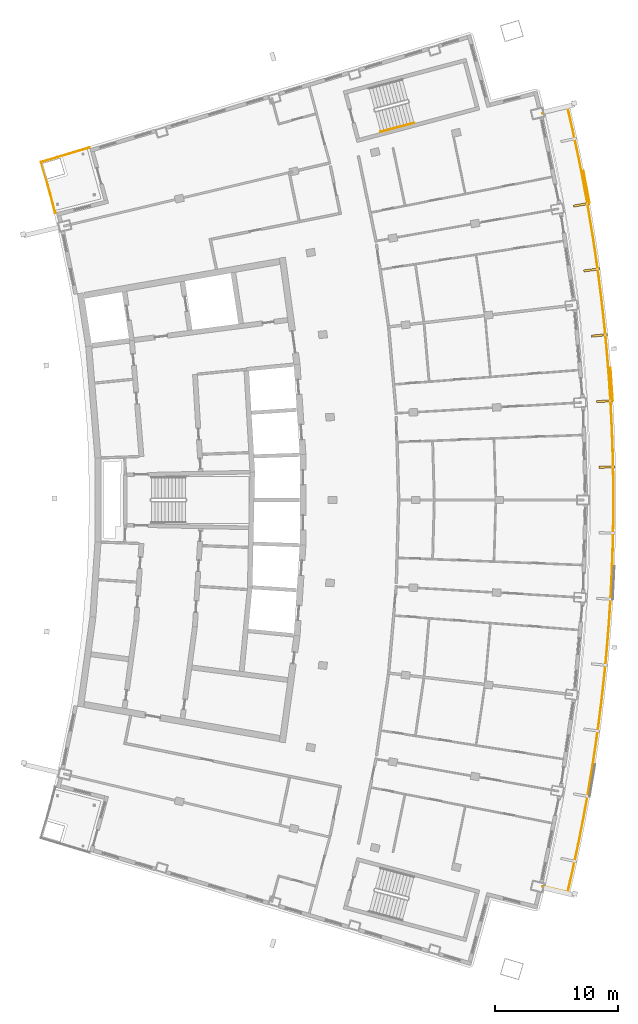
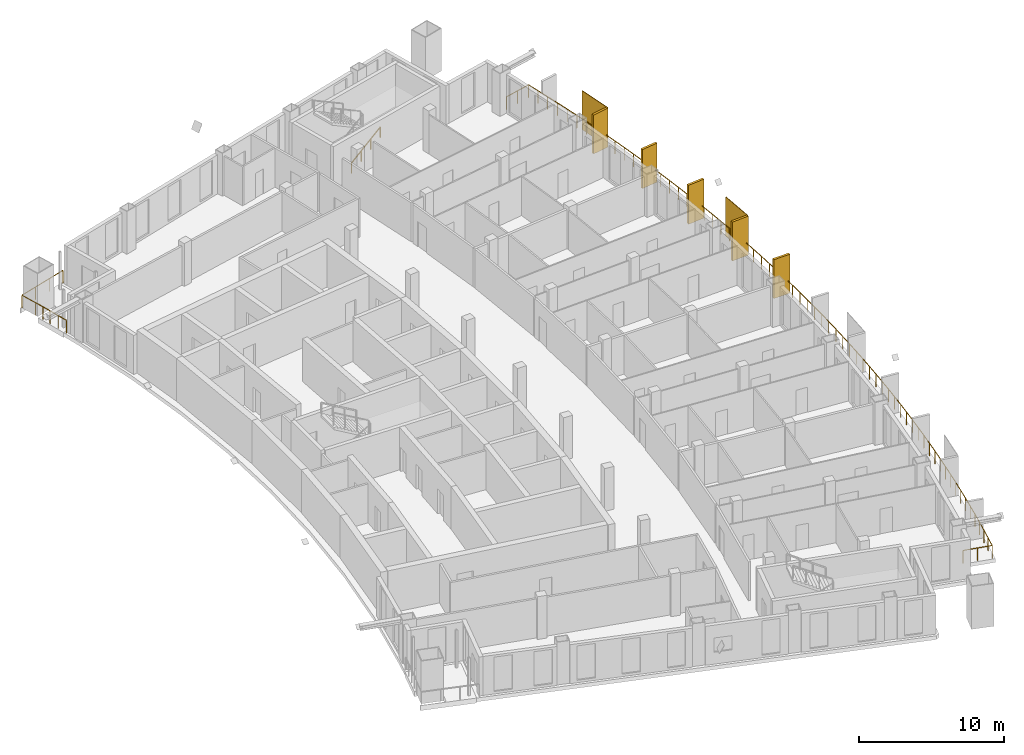
# One storey, part 16 of 17: 7 shading devices, 3 railings.
"""IFC4 building model written with IfcOpenShell, lengths in metres."""

from ifc_helpers import new_model, si_unit, direction, frame, origin, origin_2d, place, context, subcontext, project, spatial, rectangle, extrude, material, layer, layer_set, type_object, element, save


model = new_model("IFC4")

# Units and contexts
model_context = context("Model", 3, precision=1e-05, world=origin(), true_north=direction((0.0, 1.0)))
body_context = subcontext(model_context, "Body", "Model", "MODEL_VIEW")
ifc_project = project(units=[si_unit("LENGTHUNIT", "METRE"), si_unit("AREAUNIT", "SQUARE_METRE"), si_unit("VOLUMEUNIT", "CUBIC_METRE"), si_unit("PLANEANGLEUNIT", "RADIAN"), si_unit("MASSUNIT", "GRAM", prefix="KILO")], contexts=[model_context])

# Site, building, storey
site_placement = place(None, origin())
site = spatial("IfcSite", under=ifc_project, at=site_placement, CompositionType="ELEMENT")
building_placement = place(site_placement, origin())
building = spatial("IfcBuilding", under=site, at=building_placement, Name="Alderwake Tower", CompositionType="ELEMENT")
storey_placement = place(building_placement, frame((0.0, 0.0, 274.39990234375)))
storey = spatial("IfcBuildingStorey", under=building, at=storey_placement, Name="L68", CompositionType="ELEMENT", Elevation=274.39990234375)

# Railings
ifc_material_1 = material(Name="Stainless steel 316 rail and posts", Category="steel")
railing_type_1 = type_object("IfcRailingType", Name="Balcony guard 1100", PredefinedType="GUARDRAIL", material=ifc_material_1)
railing_1_placement = place(storey_placement, frame((52.9208984375, 29.510986328125, 0.0)))
element("IfcRailing", 1, at=railing_1_placement, inside=storey, type_object=railing_type_1, Name="Guard BF03", PredefinedType="GUARDRAIL", context=body_context, shape_type="SweptSolid", body=[
    extrude(rectangle(XDim=0.048095703125, YDim=0.048095703125, at=origin_2d()), frame((0.0, 0.0, 1.076171875), z_axis=(0.973069996158, -0.230509831846, 0.0), x_axis=(0.230509831846, 0.973069996158, 0.0)), (0.0, 0.0, 1.0), 2.100341796875),
    extrude(rectangle(XDim=0.048095703125, YDim=0.048095703125, at=origin_2d()), frame((2.043701171875, -0.484130859375, 1.076171875), z_axis=(0.223728003456, 0.974651620052, 0.0), x_axis=(-0.974651620052, 0.223728003456, 0.0)), (0.0, 0.0, 1.0), 1.9228515625),
    extrude(rectangle(XDim=0.048095703125, YDim=0.048095703125, at=origin_2d()), frame((2.473876953125, 1.389892578125, 1.076171875), z_axis=(0.209792875229, 0.977745851182, 0.0), x_axis=(-0.977745851182, 0.209792875229, 0.0)), (0.0, 0.0, 1.0), 2.0224609375),
    extrude(rectangle(XDim=0.048095703125, YDim=0.048095703125, at=origin_2d()), frame((2.898193359375, 3.367431640625, 1.076171875), z_axis=(0.195651889061, 0.980673410625, 0.0), x_axis=(-0.980673410625, 0.195651889061, 0.0)), (0.0, 0.0, 1.0), 2.022705078125),
    extrude(rectangle(XDim=0.048095703125, YDim=0.048095703125, at=origin_2d()), frame((3.2939453125, 5.35107421875, 1.076171875), z_axis=(0.181285306719, 0.983430545371, 0.0), x_axis=(-0.983430545371, 0.181285306719, 0.0)), (0.0, 0.0, 1.0), 2.022705078125),
    extrude(rectangle(XDim=0.048095703125, YDim=0.048095703125, at=origin_2d()), frame((3.66064453125, 7.34033203125, 1.076171875), z_axis=(0.166943156218, 0.985966522044, 0.0), x_axis=(-0.985966522044, 0.166943156218, 0.0)), (0.0, 0.0, 1.0), 2.0224609375),
    extrude(rectangle(XDim=0.048095703125, YDim=0.048095703125, at=origin_2d()), frame((3.998291015625, 9.33447265625, 1.076171875), z_axis=(0.152565081877, 0.988293425958, 0.0), x_axis=(-0.988293425958, 0.152565081877, 0.0)), (0.0, 0.0, 1.0), 2.022705078125),
    extrude(rectangle(XDim=0.048095703125, YDim=0.048095703125, at=origin_2d()), frame((4.306884765625, 11.33349609375, 1.076171875), z_axis=(0.138074887842, 0.990421791636, 0.0), x_axis=(-0.990421791636, 0.138074887842, 0.0)), (0.0, 0.0, 1.0), 2.022705078125),
    extrude(rectangle(XDim=0.048095703125, YDim=0.048095703125, at=origin_2d()), frame((4.586181640625, 13.3369140625, 1.076171875), z_axis=(0.123603892024, 0.992331637043, 0.0), x_axis=(-0.992331637043, 0.123603892024, 0.0)), (0.0, 0.0, 1.0), 2.022705078125),
    extrude(rectangle(XDim=0.048095703125, YDim=0.048095703125, at=origin_2d()), frame((4.836181640625, 15.343994140625, 1.076171875), z_axis=(0.109119836799, 0.99402860181, 0.0), x_axis=(-0.99402860181, 0.109119836799, 0.0)), (0.0, 0.0, 1.0), 2.0224609375),
    extrude(rectangle(XDim=0.048095703125, YDim=0.048095703125, at=origin_2d()), frame((5.056884765625, 17.3544921875, 1.076171875), z_axis=(0.094746438959, 0.995501437621, 0.0), x_axis=(-0.995501437621, 0.094746438959, 0.0)), (0.0, 0.0, 1.0), 2.022705078125),
    extrude(rectangle(XDim=0.048095703125, YDim=0.048095703125, at=origin_2d()), frame((5.24853515625, 19.3681640625, 1.076171875), z_axis=(0.080018646594, 0.996793366851, 0.0), x_axis=(-0.996793366851, 0.080018646594, 0.0)), (0.0, 0.0, 1.0), 2.02294921875),
    extrude(rectangle(XDim=0.048095703125, YDim=0.048095703125, at=origin_2d()), frame((5.410400390625, 21.384521484375, 1.076171875), z_axis=(0.065661789431, 0.997841936084, 0.0), x_axis=(-0.997841936084, 0.065661789431, 0.0)), (0.0, 0.0, 1.0), 2.022705078125),
    extrude(rectangle(XDim=0.048095703125, YDim=0.048095703125, at=origin_2d()), frame((5.543212890625, 23.40283203125, 1.076171875), z_axis=(0.051057323107, 0.998695724311, 0.0), x_axis=(-0.998695724311, 0.051057323107, 0.0)), (0.0, 0.0, 1.0), 2.022705078125),
    extrude(rectangle(XDim=0.048095703125, YDim=0.048095703125, at=origin_2d()), frame((5.646484375, 25.4228515625, 1.076171875), z_axis=(0.036453590384, 0.999335346992, 0.0), x_axis=(-0.999335346992, 0.036453590384, 0.0)), (0.0, 0.0, 1.0), 2.022705078125),
    extrude(rectangle(XDim=0.048095703125, YDim=0.048095703125, at=origin_2d()), frame((5.72021484375, 27.444091796875, 1.076171875), z_axis=(0.0218467706, 0.999761330826, 0.0), x_axis=(-0.999761330826, 0.0218467706, 0.0)), (0.0, 0.0, 1.0), 2.022705078125),
    extrude(rectangle(XDim=0.048095703125, YDim=0.048095703125, at=origin_2d()), frame((5.764404296875, 29.46630859375, 1.076171875), z_axis=(0.007241813719, 0.999973777723, 0.0), x_axis=(-0.999973777723, 0.007241813719, 0.0)), (0.0, 0.0, 1.0), 2.022705078125),
    extrude(rectangle(XDim=0.048095703125, YDim=0.048095703125, at=origin_2d()), frame((5.779052734375, 31.489013671875, 1.076171875), z_axis=(-0.007241813719, 0.999973777723, 0.0), x_axis=(-0.999973777723, -0.007241813719, 0.0)), (0.0, 0.0, 1.0), 2.022705078125),
    extrude(rectangle(XDim=0.048095703125, YDim=0.048095703125, at=origin_2d()), frame((5.764404296875, 33.51171875, 1.076171875), z_axis=(-0.0218467706, 0.999761330826, 0.0), x_axis=(-0.999761330826, -0.0218467706, 0.0)), (0.0, 0.0, 1.0), 2.022705078125),
    extrude(rectangle(XDim=0.048095703125, YDim=0.048095703125, at=origin_2d()), frame((5.72021484375, 35.533935546875, 1.076171875), z_axis=(-0.036453590384, 0.999335346992, 0.0), x_axis=(-0.999335346992, -0.036453590384, 0.0)), (0.0, 0.0, 1.0), 2.022705078125),
    extrude(rectangle(XDim=0.048095703125, YDim=0.048095703125, at=origin_2d()), frame((5.646484375, 37.55517578125, 1.076171875), z_axis=(-0.051057323107, 0.998695724311, 0.0), x_axis=(-0.998695724311, -0.051057323107, 0.0)), (0.0, 0.0, 1.0), 2.022705078125),
    extrude(rectangle(XDim=0.048095703125, YDim=0.048095703125, at=origin_2d()), frame((5.543212890625, 39.5751953125, 1.076171875), z_axis=(-0.065661789431, 0.997841936084, 0.0), x_axis=(-0.997841936084, -0.065661789431, 0.0)), (0.0, 0.0, 1.0), 2.022705078125),
    extrude(rectangle(XDim=0.048095703125, YDim=0.048095703125, at=origin_2d()), frame((5.410400390625, 41.593505859375, 1.076171875), z_axis=(-0.080018646594, 0.996793366851, 0.0), x_axis=(-0.996793366851, -0.080018646594, 0.0)), (0.0, 0.0, 1.0), 2.02294921875),
    extrude(rectangle(XDim=0.048095703125, YDim=0.048095703125, at=origin_2d()), frame((5.24853515625, 43.60986328125, 1.076171875), z_axis=(-0.094746438959, 0.995501437621, 0.0), x_axis=(-0.995501437621, -0.094746438959, 0.0)), (0.0, 0.0, 1.0), 2.022705078125),
    extrude(rectangle(XDim=0.048095703125, YDim=0.048095703125, at=origin_2d()), frame((5.056884765625, 45.62353515625, 1.076171875), z_axis=(-0.109119836799, 0.99402860181, 0.0), x_axis=(-0.99402860181, -0.109119836799, 0.0)), (0.0, 0.0, 1.0), 2.0224609375),
    extrude(rectangle(XDim=0.048095703125, YDim=0.048095703125, at=origin_2d()), frame((4.836181640625, 47.634033203125, 1.076171875), z_axis=(-0.123603892024, 0.992331637043, 0.0), x_axis=(-0.992331637043, -0.123603892024, 0.0)), (0.0, 0.0, 1.0), 2.022705078125),
    extrude(rectangle(XDim=0.048095703125, YDim=0.048095703125, at=origin_2d()), frame((4.586181640625, 49.64111328125, 1.076171875), z_axis=(-0.138074887842, 0.990421791636, 0.0), x_axis=(-0.990421791636, -0.138074887842, 0.0)), (0.0, 0.0, 1.0), 2.022705078125),
    extrude(rectangle(XDim=0.048095703125, YDim=0.048095703125, at=origin_2d()), frame((4.306884765625, 51.64453125, 1.076171875), z_axis=(-0.152565081877, 0.988293425958, 0.0), x_axis=(-0.988293425958, -0.152565081877, 0.0)), (0.0, 0.0, 1.0), 2.022705078125),
    extrude(rectangle(XDim=0.048095703125, YDim=0.048095703125, at=origin_2d()), frame((3.998291015625, 53.6435546875, 1.076171875), z_axis=(-0.166943156218, 0.985966522044, 0.0), x_axis=(-0.985966522044, -0.166943156218, 0.0)), (0.0, 0.0, 1.0), 2.0224609375),
    extrude(rectangle(XDim=0.048095703125, YDim=0.048095703125, at=origin_2d()), frame((3.66064453125, 55.6376953125, 1.076171875), z_axis=(-0.181285306719, 0.983430545371, 0.0), x_axis=(-0.983430545371, -0.181285306719, 0.0)), (0.0, 0.0, 1.0), 2.022705078125),
    extrude(rectangle(XDim=0.048095703125, YDim=0.048095703125, at=origin_2d()), frame((3.2939453125, 57.626953125, 1.076171875), z_axis=(-0.195651889061, 0.980673410625, 0.0), x_axis=(-0.980673410625, -0.195651889061, 0.0)), (0.0, 0.0, 1.0), 2.022705078125),
    extrude(rectangle(XDim=0.048095703125, YDim=0.048095703125, at=origin_2d()), frame((2.898193359375, 59.610595703125, 1.076171875), z_axis=(-0.209792875229, 0.977745851182, 0.0), x_axis=(-0.977745851182, -0.209792875229, 0.0)), (0.0, 0.0, 1.0), 2.0224609375),
    extrude(rectangle(XDim=0.048095703125, YDim=0.048095703125, at=origin_2d()), frame((2.473876953125, 61.588134765625, 1.076171875), z_axis=(-0.223728003456, 0.974651620052, 0.0), x_axis=(-0.974651620052, -0.223728003456, 0.0)), (0.0, 0.0, 1.0), 1.9228515625),
    extrude(rectangle(XDim=0.048095703125, YDim=0.048095703125, at=origin_2d()), frame((2.043701171875, 63.462158203125, 1.076171875), z_axis=(-0.973069996158, -0.230509831846, 0.0), x_axis=(0.230509831846, -0.973069996158, 0.0)), (0.0, 0.0, 1.0), 2.100341796875),
    extrude(rectangle(XDim=0.0419921875, YDim=0.0419921875, at=origin_2d()), frame((0.0, 0.0, 0.0), z_axis=(0.0, 0.0, 1.0), x_axis=(0.973069996158, -0.230509831846, 0.0)), (0.0, 0.0, 1.0), 1.052001953125),
    extrude(rectangle(XDim=0.0419921875, YDim=0.0419921875, at=origin_2d()), frame((1.02197265625, -0.2421875, 0.0), z_axis=(0.0, 0.0, 1.0), x_axis=(0.973069996158, -0.230509831846, 0.0)), (0.0, 0.0, 1.0), 1.052001953125),
    extrude(rectangle(XDim=0.0419921875, YDim=0.0419921875, at=origin_2d()), frame((2.043701171875, -0.484130859375, 0.0), z_axis=(0.0, 0.0, 1.0), x_axis=(0.223728003456, 0.974651620052, 0.0)), (0.0, 0.0, 1.0), 1.052001953125),
    extrude(rectangle(XDim=0.0419921875, YDim=0.0419921875, at=origin_2d()), frame((2.2587890625, 0.452880859375, 0.0), z_axis=(0.0, 0.0, 1.0), x_axis=(0.223728003456, 0.974651620052, 0.0)), (0.0, 0.0, 1.0), 1.052001953125),
    extrude(rectangle(XDim=0.0419921875, YDim=0.0419921875, at=origin_2d()), frame((2.473876953125, 1.389892578125, 0.0), z_axis=(0.0, 0.0, 1.0), x_axis=(0.209792875229, 0.977745851182, 0.0)), (0.0, 0.0, 1.0), 1.052001953125),
    extrude(rectangle(XDim=0.0419921875, YDim=0.0419921875, at=origin_2d()), frame((2.68603515625, 2.378662109375, 0.0), z_axis=(0.0, 0.0, 1.0), x_axis=(0.209792875229, 0.977745851182, 0.0)), (0.0, 0.0, 1.0), 1.052001953125),
    extrude(rectangle(XDim=0.0419921875, YDim=0.0419921875, at=origin_2d()), frame((2.898193359375, 3.367431640625, 0.0), z_axis=(0.0, 0.0, 1.0), x_axis=(0.195651889061, 0.980673410625, 0.0)), (0.0, 0.0, 1.0), 1.052001953125),
    extrude(rectangle(XDim=0.0419921875, YDim=0.0419921875, at=origin_2d()), frame((3.09619140625, 4.359375, 0.0), z_axis=(0.0, 0.0, 1.0), x_axis=(0.195651889061, 0.980673410625, 0.0)), (0.0, 0.0, 1.0), 1.052001953125),
    extrude(rectangle(XDim=0.0419921875, YDim=0.0419921875, at=origin_2d()), frame((3.2939453125, 5.35107421875, 0.0), z_axis=(0.0, 0.0, 1.0), x_axis=(0.181285306719, 0.983430545371, 0.0)), (0.0, 0.0, 1.0), 1.052001953125),
    extrude(rectangle(XDim=0.0419921875, YDim=0.0419921875, at=origin_2d()), frame((3.477294921875, 6.345703125, 0.0), z_axis=(0.0, 0.0, 1.0), x_axis=(0.181285306719, 0.983430545371, 0.0)), (0.0, 0.0, 1.0), 1.052001953125),
    extrude(rectangle(XDim=0.0419921875, YDim=0.0419921875, at=origin_2d()), frame((3.66064453125, 7.34033203125, 0.0), z_axis=(0.0, 0.0, 1.0), x_axis=(0.166943156218, 0.985966522044, 0.0)), (0.0, 0.0, 1.0), 1.052001953125),
    extrude(rectangle(XDim=0.0419921875, YDim=0.0419921875, at=origin_2d()), frame((3.82958984375, 8.33740234375, 0.0), z_axis=(0.0, 0.0, 1.0), x_axis=(0.166943156218, 0.985966522044, 0.0)), (0.0, 0.0, 1.0), 1.052001953125),
    extrude(rectangle(XDim=0.0419921875, YDim=0.0419921875, at=origin_2d()), frame((3.998291015625, 9.33447265625, 0.0), z_axis=(0.0, 0.0, 1.0), x_axis=(0.152565081877, 0.988293425958, 0.0)), (0.0, 0.0, 1.0), 1.052001953125),
    extrude(rectangle(XDim=0.0419921875, YDim=0.0419921875, at=origin_2d()), frame((4.152587890625, 10.333984375, 0.0), z_axis=(0.0, 0.0, 1.0), x_axis=(0.152565081877, 0.988293425958, 0.0)), (0.0, 0.0, 1.0), 1.052001953125),
    extrude(rectangle(XDim=0.0419921875, YDim=0.0419921875, at=origin_2d()), frame((4.306884765625, 11.33349609375, 0.0), z_axis=(0.0, 0.0, 1.0), x_axis=(0.138074887842, 0.990421791636, 0.0)), (0.0, 0.0, 1.0), 1.052001953125),
    extrude(rectangle(XDim=0.0419921875, YDim=0.0419921875, at=origin_2d()), frame((4.446533203125, 12.335205078125, 0.0), z_axis=(0.0, 0.0, 1.0), x_axis=(0.138074887842, 0.990421791636, 0.0)), (0.0, 0.0, 1.0), 1.052001953125),
    extrude(rectangle(XDim=0.0419921875, YDim=0.0419921875, at=origin_2d()), frame((4.586181640625, 13.3369140625, 0.0), z_axis=(0.0, 0.0, 1.0), x_axis=(0.123603892024, 0.992331637043, 0.0)), (0.0, 0.0, 1.0), 1.052001953125),
    extrude(rectangle(XDim=0.0419921875, YDim=0.0419921875, at=origin_2d()), frame((4.711181640625, 14.34033203125, 0.0), z_axis=(0.0, 0.0, 1.0), x_axis=(0.123603892024, 0.992331637043, 0.0)), (0.0, 0.0, 1.0), 1.052001953125),
    extrude(rectangle(XDim=0.0419921875, YDim=0.0419921875, at=origin_2d()), frame((4.836181640625, 15.343994140625, 0.0), z_axis=(0.0, 0.0, 1.0), x_axis=(0.109119836799, 0.99402860181, 0.0)), (0.0, 0.0, 1.0), 1.052001953125),
    extrude(rectangle(XDim=0.0419921875, YDim=0.0419921875, at=origin_2d()), frame((4.946533203125, 16.34912109375, 0.0), z_axis=(0.0, 0.0, 1.0), x_axis=(0.109119836799, 0.99402860181, 0.0)), (0.0, 0.0, 1.0), 1.052001953125),
    extrude(rectangle(XDim=0.0419921875, YDim=0.0419921875, at=origin_2d()), frame((5.056884765625, 17.3544921875, 0.0), z_axis=(0.0, 0.0, 1.0), x_axis=(0.094746438959, 0.995501437621, 0.0)), (0.0, 0.0, 1.0), 1.052001953125),
    extrude(rectangle(XDim=0.0419921875, YDim=0.0419921875, at=origin_2d()), frame((5.15283203125, 18.361328125, 0.0), z_axis=(0.0, 0.0, 1.0), x_axis=(0.094746438959, 0.995501437621, 0.0)), (0.0, 0.0, 1.0), 1.052001953125),
    extrude(rectangle(XDim=0.0419921875, YDim=0.0419921875, at=origin_2d()), frame((5.24853515625, 19.3681640625, 0.0), z_axis=(0.0, 0.0, 1.0), x_axis=(0.080018646594, 0.996793366851, 0.0)), (0.0, 0.0, 1.0), 1.052001953125),
    extrude(rectangle(XDim=0.0419921875, YDim=0.0419921875, at=origin_2d()), frame((5.32958984375, 20.37646484375, 0.0), z_axis=(0.0, 0.0, 1.0), x_axis=(0.080018646594, 0.996793366851, 0.0)), (0.0, 0.0, 1.0), 1.052001953125),
    extrude(rectangle(XDim=0.0419921875, YDim=0.0419921875, at=origin_2d()), frame((5.410400390625, 21.384521484375, 0.0), z_axis=(0.0, 0.0, 1.0), x_axis=(0.065661789431, 0.997841936084, 0.0)), (0.0, 0.0, 1.0), 1.052001953125),
    extrude(rectangle(XDim=0.0419921875, YDim=0.0419921875, at=origin_2d()), frame((5.476806640625, 22.3935546875, 0.0), z_axis=(0.0, 0.0, 1.0), x_axis=(0.065661789431, 0.997841936084, 0.0)), (0.0, 0.0, 1.0), 1.052001953125),
    extrude(rectangle(XDim=0.0419921875, YDim=0.0419921875, at=origin_2d()), frame((5.543212890625, 23.40283203125, 0.0), z_axis=(0.0, 0.0, 1.0), x_axis=(0.051057323107, 0.998695724311, 0.0)), (0.0, 0.0, 1.0), 1.052001953125),
    extrude(rectangle(XDim=0.0419921875, YDim=0.0419921875, at=origin_2d()), frame((5.5947265625, 24.412841796875, 0.0), z_axis=(0.0, 0.0, 1.0), x_axis=(0.051057323107, 0.998695724311, 0.0)), (0.0, 0.0, 1.0), 1.052001953125),
    extrude(rectangle(XDim=0.0419921875, YDim=0.0419921875, at=origin_2d()), frame((5.646484375, 25.4228515625, 0.0), z_axis=(0.0, 0.0, 1.0), x_axis=(0.036453590384, 0.999335346992, 0.0)), (0.0, 0.0, 1.0), 1.052001953125),
    extrude(rectangle(XDim=0.0419921875, YDim=0.0419921875, at=origin_2d()), frame((5.683349609375, 26.43359375, 0.0), z_axis=(0.0, 0.0, 1.0), x_axis=(0.036453590384, 0.999335346992, 0.0)), (0.0, 0.0, 1.0), 1.052001953125),
    extrude(rectangle(XDim=0.0419921875, YDim=0.0419921875, at=origin_2d()), frame((5.72021484375, 27.444091796875, 0.0), z_axis=(0.0, 0.0, 1.0), x_axis=(0.0218467706, 0.999761330826, 0.0)), (0.0, 0.0, 1.0), 1.052001953125),
    extrude(rectangle(XDim=0.0419921875, YDim=0.0419921875, at=origin_2d()), frame((5.7421875, 28.455078125, 0.0), z_axis=(0.0, 0.0, 1.0), x_axis=(0.0218467706, 0.999761330826, 0.0)), (0.0, 0.0, 1.0), 1.052001953125),
    extrude(rectangle(XDim=0.0419921875, YDim=0.0419921875, at=origin_2d()), frame((5.764404296875, 29.46630859375, 0.0), z_axis=(0.0, 0.0, 1.0), x_axis=(0.007241813719, 0.999973777723, 0.0)), (0.0, 0.0, 1.0), 1.052001953125),
    extrude(rectangle(XDim=0.0419921875, YDim=0.0419921875, at=origin_2d()), frame((5.771728515625, 30.4775390625, 0.0), z_axis=(0.0, 0.0, 1.0), x_axis=(0.007241813719, 0.999973777723, 0.0)), (0.0, 0.0, 1.0), 1.052001953125),
    extrude(rectangle(XDim=0.0419921875, YDim=0.0419921875, at=origin_2d()), frame((5.779052734375, 31.489013671875, 0.0), z_axis=(0.0, 0.0, 1.0), x_axis=(-0.007241813719, 0.999973777723, 0.0)), (0.0, 0.0, 1.0), 1.052001953125),
    extrude(rectangle(XDim=0.0419921875, YDim=0.0419921875, at=origin_2d()), frame((5.771728515625, 32.50048828125, 0.0), z_axis=(0.0, 0.0, 1.0), x_axis=(-0.007241813719, 0.999973777723, 0.0)), (0.0, 0.0, 1.0), 1.052001953125),
    extrude(rectangle(XDim=0.0419921875, YDim=0.0419921875, at=origin_2d()), frame((5.764404296875, 33.51171875, 0.0), z_axis=(0.0, 0.0, 1.0), x_axis=(-0.0218467706, 0.999761330826, 0.0)), (0.0, 0.0, 1.0), 1.052001953125),
    extrude(rectangle(XDim=0.0419921875, YDim=0.0419921875, at=origin_2d()), frame((5.7421875, 34.52294921875, 0.0), z_axis=(0.0, 0.0, 1.0), x_axis=(-0.0218467706, 0.999761330826, 0.0)), (0.0, 0.0, 1.0), 1.052001953125),
    extrude(rectangle(XDim=0.0419921875, YDim=0.0419921875, at=origin_2d()), frame((5.72021484375, 35.533935546875, 0.0), z_axis=(0.0, 0.0, 1.0), x_axis=(-0.036453590384, 0.999335346992, 0.0)), (0.0, 0.0, 1.0), 1.052001953125),
    extrude(rectangle(XDim=0.0419921875, YDim=0.0419921875, at=origin_2d()), frame((5.683349609375, 36.54443359375, 0.0), z_axis=(0.0, 0.0, 1.0), x_axis=(-0.036453590384, 0.999335346992, 0.0)), (0.0, 0.0, 1.0), 1.052001953125),
    extrude(rectangle(XDim=0.0419921875, YDim=0.0419921875, at=origin_2d()), frame((5.646484375, 37.55517578125, 0.0), z_axis=(0.0, 0.0, 1.0), x_axis=(-0.051057323107, 0.998695724311, 0.0)), (0.0, 0.0, 1.0), 1.052001953125),
    extrude(rectangle(XDim=0.0419921875, YDim=0.0419921875, at=origin_2d()), frame((5.5947265625, 38.565185546875, 0.0), z_axis=(0.0, 0.0, 1.0), x_axis=(-0.051057323107, 0.998695724311, 0.0)), (0.0, 0.0, 1.0), 1.052001953125),
    extrude(rectangle(XDim=0.0419921875, YDim=0.0419921875, at=origin_2d()), frame((5.543212890625, 39.5751953125, 0.0), z_axis=(0.0, 0.0, 1.0), x_axis=(-0.065661789431, 0.997841936084, 0.0)), (0.0, 0.0, 1.0), 1.052001953125),
    extrude(rectangle(XDim=0.0419921875, YDim=0.0419921875, at=origin_2d()), frame((5.476806640625, 40.58447265625, 0.0), z_axis=(0.0, 0.0, 1.0), x_axis=(-0.065661789431, 0.997841936084, 0.0)), (0.0, 0.0, 1.0), 1.052001953125),
    extrude(rectangle(XDim=0.0419921875, YDim=0.0419921875, at=origin_2d()), frame((5.410400390625, 41.593505859375, 0.0), z_axis=(0.0, 0.0, 1.0), x_axis=(-0.080018646594, 0.996793366851, 0.0)), (0.0, 0.0, 1.0), 1.052001953125),
    extrude(rectangle(XDim=0.0419921875, YDim=0.0419921875, at=origin_2d()), frame((5.32958984375, 42.6015625, 0.0), z_axis=(0.0, 0.0, 1.0), x_axis=(-0.080018646594, 0.996793366851, 0.0)), (0.0, 0.0, 1.0), 1.052001953125),
    extrude(rectangle(XDim=0.0419921875, YDim=0.0419921875, at=origin_2d()), frame((5.24853515625, 43.60986328125, 0.0), z_axis=(0.0, 0.0, 1.0), x_axis=(-0.094746438959, 0.995501437621, 0.0)), (0.0, 0.0, 1.0), 1.052001953125),
    extrude(rectangle(XDim=0.0419921875, YDim=0.0419921875, at=origin_2d()), frame((5.15283203125, 44.61669921875, 0.0), z_axis=(0.0, 0.0, 1.0), x_axis=(-0.094746438959, 0.995501437621, 0.0)), (0.0, 0.0, 1.0), 1.052001953125),
    extrude(rectangle(XDim=0.0419921875, YDim=0.0419921875, at=origin_2d()), frame((5.056884765625, 45.62353515625, 0.0), z_axis=(0.0, 0.0, 1.0), x_axis=(-0.109119836799, 0.99402860181, 0.0)), (0.0, 0.0, 1.0), 1.052001953125),
    extrude(rectangle(XDim=0.0419921875, YDim=0.0419921875, at=origin_2d()), frame((4.946533203125, 46.62890625, 0.0), z_axis=(0.0, 0.0, 1.0), x_axis=(-0.109119836799, 0.99402860181, 0.0)), (0.0, 0.0, 1.0), 1.052001953125),
    extrude(rectangle(XDim=0.0419921875, YDim=0.0419921875, at=origin_2d()), frame((4.836181640625, 47.634033203125, 0.0), z_axis=(0.0, 0.0, 1.0), x_axis=(-0.123603892024, 0.992331637043, 0.0)), (0.0, 0.0, 1.0), 1.052001953125),
    extrude(rectangle(XDim=0.0419921875, YDim=0.0419921875, at=origin_2d()), frame((4.711181640625, 48.6376953125, 0.0), z_axis=(0.0, 0.0, 1.0), x_axis=(-0.123603892024, 0.992331637043, 0.0)), (0.0, 0.0, 1.0), 1.052001953125),
    extrude(rectangle(XDim=0.0419921875, YDim=0.0419921875, at=origin_2d()), frame((4.586181640625, 49.64111328125, 0.0), z_axis=(0.0, 0.0, 1.0), x_axis=(-0.138074887842, 0.990421791636, 0.0)), (0.0, 0.0, 1.0), 1.052001953125),
    extrude(rectangle(XDim=0.0419921875, YDim=0.0419921875, at=origin_2d()), frame((4.446533203125, 50.642822265625, 0.0), z_axis=(0.0, 0.0, 1.0), x_axis=(-0.138074887842, 0.990421791636, 0.0)), (0.0, 0.0, 1.0), 1.052001953125),
    extrude(rectangle(XDim=0.0419921875, YDim=0.0419921875, at=origin_2d()), frame((4.306884765625, 51.64453125, 0.0), z_axis=(0.0, 0.0, 1.0), x_axis=(-0.152565081877, 0.988293425958, 0.0)), (0.0, 0.0, 1.0), 1.052001953125),
    extrude(rectangle(XDim=0.0419921875, YDim=0.0419921875, at=origin_2d()), frame((4.152587890625, 52.64404296875, 0.0), z_axis=(0.0, 0.0, 1.0), x_axis=(-0.152565081877, 0.988293425958, 0.0)), (0.0, 0.0, 1.0), 1.052001953125),
    extrude(rectangle(XDim=0.0419921875, YDim=0.0419921875, at=origin_2d()), frame((3.998291015625, 53.6435546875, 0.0), z_axis=(0.0, 0.0, 1.0), x_axis=(-0.166943156218, 0.985966522044, 0.0)), (0.0, 0.0, 1.0), 1.052001953125),
    extrude(rectangle(XDim=0.0419921875, YDim=0.0419921875, at=origin_2d()), frame((3.82958984375, 54.640625, 0.0), z_axis=(0.0, 0.0, 1.0), x_axis=(-0.166943156218, 0.985966522044, 0.0)), (0.0, 0.0, 1.0), 1.052001953125),
    extrude(rectangle(XDim=0.0419921875, YDim=0.0419921875, at=origin_2d()), frame((3.66064453125, 55.6376953125, 0.0), z_axis=(0.0, 0.0, 1.0), x_axis=(-0.181285306719, 0.983430545371, 0.0)), (0.0, 0.0, 1.0), 1.052001953125),
    extrude(rectangle(XDim=0.0419921875, YDim=0.0419921875, at=origin_2d()), frame((3.477294921875, 56.63232421875, 0.0), z_axis=(0.0, 0.0, 1.0), x_axis=(-0.181285306719, 0.983430545371, 0.0)), (0.0, 0.0, 1.0), 1.052001953125),
    extrude(rectangle(XDim=0.0419921875, YDim=0.0419921875, at=origin_2d()), frame((3.2939453125, 57.626953125, 0.0), z_axis=(0.0, 0.0, 1.0), x_axis=(-0.195651889061, 0.980673410625, 0.0)), (0.0, 0.0, 1.0), 1.052001953125),
    extrude(rectangle(XDim=0.0419921875, YDim=0.0419921875, at=origin_2d()), frame((3.09619140625, 58.61865234375, 0.0), z_axis=(0.0, 0.0, 1.0), x_axis=(-0.195651889061, 0.980673410625, 0.0)), (0.0, 0.0, 1.0), 1.052001953125),
    extrude(rectangle(XDim=0.0419921875, YDim=0.0419921875, at=origin_2d()), frame((2.898193359375, 59.610595703125, 0.0), z_axis=(0.0, 0.0, 1.0), x_axis=(-0.209792875229, 0.977745851182, 0.0)), (0.0, 0.0, 1.0), 1.052001953125),
    extrude(rectangle(XDim=0.0419921875, YDim=0.0419921875, at=origin_2d()), frame((2.68603515625, 60.599365234375, 0.0), z_axis=(0.0, 0.0, 1.0), x_axis=(-0.209792875229, 0.977745851182, 0.0)), (0.0, 0.0, 1.0), 1.052001953125),
    extrude(rectangle(XDim=0.0419921875, YDim=0.0419921875, at=origin_2d()), frame((2.473876953125, 61.588134765625, 0.0), z_axis=(0.0, 0.0, 1.0), x_axis=(-0.223728003456, 0.974651620052, 0.0)), (0.0, 0.0, 1.0), 1.052001953125),
    extrude(rectangle(XDim=0.0419921875, YDim=0.0419921875, at=origin_2d()), frame((2.2587890625, 62.525146484375, 0.0), z_axis=(0.0, 0.0, 1.0), x_axis=(-0.223728003456, 0.974651620052, 0.0)), (0.0, 0.0, 1.0), 1.052001953125),
    extrude(rectangle(XDim=0.0419921875, YDim=0.0419921875, at=origin_2d()), frame((2.043701171875, 63.462158203125, 0.0), z_axis=(0.0, 0.0, 1.0), x_axis=(-0.973069996158, -0.230509831846, 0.0)), (0.0, 0.0, 1.0), 1.052001953125),
    extrude(rectangle(XDim=0.0419921875, YDim=0.0419921875, at=origin_2d()), frame((1.02197265625, 63.22021484375, 0.0), z_axis=(0.0, 0.0, 1.0), x_axis=(-0.973069996158, -0.230509831846, 0.0)), (0.0, 0.0, 1.0), 1.052001953125),
    extrude(rectangle(XDim=0.0419921875, YDim=0.0419921875, at=origin_2d()), frame((0.0, 62.97802734375, 0.0), z_axis=(0.0, 0.0, 1.0), x_axis=(-0.973069996158, -0.230509831846, 0.0)), (0.0, 0.0, 1.0), 1.052001953125),
])
railing_2_placement = place(storey_placement, frame((13.210693359375, 84.387451171875, 0.0)))
element("IfcRailing", 2, at=railing_2_placement, inside=storey, type_object=railing_type_1, Name="Guard terrace RN", PredefinedType="GUARDRAIL", context=body_context, shape_type="SweptSolid", body=[
    extrude(rectangle(XDim=0.048095703125, YDim=0.048095703125, at=origin_2d()), frame((0.0, 0.0, 1.076171875), z_axis=(-0.251385381433, 0.967887075026, 0.0), x_axis=(-0.967887075026, -0.251385381433, 0.0)), (0.0, 0.0, 1.0), 1.6015625),
    extrude(rectangle(XDim=0.048095703125, YDim=0.048095703125, at=origin_2d()), frame((-0.402587890625, 1.550048828125, 1.076171875), z_axis=(-0.266520638672, 0.963829211615, 0.0), x_axis=(-0.963829211615, -0.266520638672, 0.0)), (0.0, 0.0, 1.0), 1.401611328125),
    extrude(rectangle(XDim=0.048095703125, YDim=0.048095703125, at=origin_2d()), frame((-0.776123046875, 2.90087890625, 1.076171875), z_axis=(-0.280093650878, 0.959972680204, 0.0), x_axis=(-0.959972680204, -0.280093650878, 0.0)), (0.0, 0.0, 1.0), 1.30126953125),
    extrude(rectangle(XDim=0.048095703125, YDim=0.048095703125, at=origin_2d()), frame((-1.140625, 4.150146484375, 1.076171875), z_axis=(0.958066871889, 0.286544706789, 0.0), x_axis=(-0.286544706789, 0.958066871889, 0.0)), (0.0, 0.0, 1.0), 4.099853515625),
    extrude(rectangle(XDim=0.0419921875, YDim=0.0419921875, at=origin_2d()), frame((0.0, 0.0, 0.0), z_axis=(0.0, 0.0, 1.0), x_axis=(-0.251385381433, 0.967887075026, 0.0)), (0.0, 0.0, 1.0), 1.052001953125),
    extrude(rectangle(XDim=0.0419921875, YDim=0.0419921875, at=origin_2d()), frame((-0.201171875, 0.77490234375, 0.0), z_axis=(0.0, 0.0, 1.0), x_axis=(-0.251385381433, 0.967887075026, 0.0)), (0.0, 0.0, 1.0), 1.052001953125),
    extrude(rectangle(XDim=0.0419921875, YDim=0.0419921875, at=origin_2d()), frame((-0.402587890625, 1.550048828125, 0.0), z_axis=(0.0, 0.0, 1.0), x_axis=(-0.266520638672, 0.963829211615, 0.0)), (0.0, 0.0, 1.0), 1.052001953125),
    extrude(rectangle(XDim=0.0419921875, YDim=0.0419921875, at=origin_2d()), frame((-0.58935546875, 2.2255859375, 0.0), z_axis=(0.0, 0.0, 1.0), x_axis=(-0.266520638672, 0.963829211615, 0.0)), (0.0, 0.0, 1.0), 1.052001953125),
    extrude(rectangle(XDim=0.0419921875, YDim=0.0419921875, at=origin_2d()), frame((-0.776123046875, 2.90087890625, 0.0), z_axis=(0.0, 0.0, 1.0), x_axis=(-0.280093650878, 0.959972680204, 0.0)), (0.0, 0.0, 1.0), 1.052001953125),
    extrude(rectangle(XDim=0.0419921875, YDim=0.0419921875, at=origin_2d()), frame((-1.140625, 4.150146484375, 0.0), z_axis=(0.0, 0.0, 1.0), x_axis=(0.958066871889, 0.286544706789, 0.0)), (0.0, 0.0, 1.0), 1.052001953125),
    extrude(rectangle(XDim=0.0419921875, YDim=0.0419921875, at=origin_2d()), frame((0.168701171875, 4.541748046875, 0.0), z_axis=(0.0, 0.0, 1.0), x_axis=(0.958066871889, 0.286544706789, 0.0)), (0.0, 0.0, 1.0), 1.052001953125),
    extrude(rectangle(XDim=0.0419921875, YDim=0.0419921875, at=origin_2d()), frame((1.47802734375, 4.933349609375, 0.0), z_axis=(0.0, 0.0, 1.0), x_axis=(0.958066871889, 0.286544706789, 0.0)), (0.0, 0.0, 1.0), 1.052001953125),
    extrude(rectangle(XDim=0.0419921875, YDim=0.0419921875, at=origin_2d()), frame((2.787353515625, 5.324951171875, 0.0), z_axis=(0.0, 0.0, 1.0), x_axis=(0.958066871889, 0.286544706789, 0.0)), (0.0, 0.0, 1.0), 1.052001953125),
])

# Shading devices
ifc_material_2 = material(Name="Bronze anodised aluminium", Category="aluminium")
ifc_layer_1 = layer(ifc_material_2, 0.179931640625)
ifc_layer_set_1 = layer_set([ifc_layer_1], Name="Facade fin 1300")
shading_device_type_1 = type_object("IfcShadingDeviceType", Name="Facade fin 1300", PredefinedType="USERDEFINED", material=ifc_layer_set_1)
for number, where, z_axis, x_axis, name in (
    (3, (58.174072265625, 63.680908203125, 0.0), (0.0, 0.0, 1.0), (0.999811838809, 0.019398117887, 0.0), "Fin"),
    (4, (57.965087890625, 69.052490234375, 0.0), (0.0, 0.0, 1.0), (0.998301080988, 0.058266214038, 0.0), "Fin"),
    (5, (57.547607421875, 74.411865234375, 0.0), (0.0, 0.0, 1.0), (0.995279882363, 0.097046152751, 0.0), "Fin"),
    (6, (56.922119140625, 79.7509765625, 0.0), (0.0, 0.0, 1.0), (0.990752577235, 0.135680988728, 0.0), "Fin"),
    (7, (56.089111328125, 85.061767578125, 0.0), (0.0, 0.0, 1.0), (0.984726421654, 0.174108800747, 0.0), "Fin"),
):
    element("IfcShadingDevice", number, at=place(storey_placement, frame(where, z_axis=z_axis, x_axis=x_axis)), inside=storey, type_object=shading_device_type_1, Name=name, ObjectType="FIN", PredefinedType="USERDEFINED", context=body_context, shape_type="SweptSolid", body=[
        extrude(rectangle(XDim=1.300048828125, YDim=0.179931640625, at=origin_2d()), origin(), (0.0, 0.0, 1.0), 3.280029296875),
    ])
ifc_material_3 = material(Name="Perforated bronze anodised aluminium", Category="aluminium")
ifc_layer_2 = layer(ifc_material_3, 0.050048828125)
ifc_layer_set_2 = layer_set([ifc_layer_2], Name="Perforated screen panel")
shading_device_type_2 = type_object("IfcShadingDeviceType", Name="Perforated screen panel", PredefinedType="USERDEFINED", material=ifc_layer_set_2)
shading_device_1_placement = place(storey_placement, frame((58.547119140625, 70.442626953125, 0.0), z_axis=(0.0, 0.0, 1.0), x_axis=(0.997685465774, 0.067997877779, 0.0)))
element("IfcShadingDevice", 8, at=shading_device_1_placement, inside=storey, type_object=shading_device_type_2, Name="Screen panel", ObjectType="SCREEN", PredefinedType="USERDEFINED", context=body_context, shape_type="SweptSolid", body=[
    extrude(rectangle(XDim=0.050048828125, YDim=2.7080078125, at=origin_2d()), origin(), (0.0, 0.0, 1.0), 3.280029296875),
])
shading_device_2_placement = place(storey_placement, frame((56.506591796875, 86.50341796875, 0.0), z_axis=(0.0, 0.0, 1.0), x_axis=(0.982991488043, 0.183651121519, 0.0)))
element("IfcShadingDevice", 9, at=shading_device_2_placement, inside=storey, type_object=shading_device_type_2, Name="Screen panel", ObjectType="SCREEN", PredefinedType="USERDEFINED", context=body_context, shape_type="SweptSolid", body=[
    extrude(rectangle(XDim=0.050048828125, YDim=2.694091796875, at=origin_2d()), origin(), (0.0, 0.0, 1.0), 3.280029296875),
])

# Railing
ifc_material_4 = material(Name="Stainless steel handrail", Category="steel")
railing_type_2 = type_object("IfcRailingType", Name="Stair handrail 900", PredefinedType="HANDRAIL", material=ifc_material_4)
railing_3_placement = place(storey_placement, frame((39.731689453125, 91.002685546875, 0.163818359375)))
element("IfcRailing", 10, at=railing_3_placement, inside=storey, type_object=railing_type_2, Name="L68 ST-A stair handrail 1", PredefinedType="HANDRAIL", context=body_context, shape_type="SweptSolid", body=[
    extrude(rectangle(XDim=0.048095703125, YDim=0.048095703125, at=origin_2d()), frame((0.0, 0.0, 0.8759765625), z_axis=(0.834290631165, 0.222236594766, 0.504549342183), x_axis=(-0.257402139082, 0.966304371715, 0.0)), (0.0, 0.0, 1.0), 3.242919921875),
    extrude(rectangle(XDim=0.0419921875, YDim=0.0419921875, at=origin_2d()), frame((0.0, 0.0, 0.0), z_axis=(0.0, 0.0, 1.0), x_axis=(0.966304371715, 0.257402139082, 0.0)), (0.0, 0.0, 1.0), 0.851806640625),
    extrude(rectangle(XDim=0.0419921875, YDim=0.0419921875, at=origin_2d()), frame((0.90185546875, 0.240234375, 0.54541015625), z_axis=(0.0, 0.0, 1.0), x_axis=(0.966304371715, 0.257402139082, 0.0)), (0.0, 0.0, 1.0), 0.851806640625),
    extrude(rectangle(XDim=0.0419921875, YDim=0.0419921875, at=origin_2d()), frame((1.8037109375, 0.48046875, 1.0908203125), z_axis=(0.0, 0.0, 1.0), x_axis=(0.966304371715, 0.257402139082, 0.0)), (0.0, 0.0, 1.0), 0.851806640625),
    extrude(rectangle(XDim=0.0419921875, YDim=0.0419921875, at=origin_2d()), frame((2.70556640625, 0.720703125, 1.63623046875), z_axis=(0.0, 0.0, 1.0), x_axis=(0.966304371715, 0.257402139082, 0.0)), (0.0, 0.0, 1.0), 0.851806640625),
])

save(model, "model.ifc")
